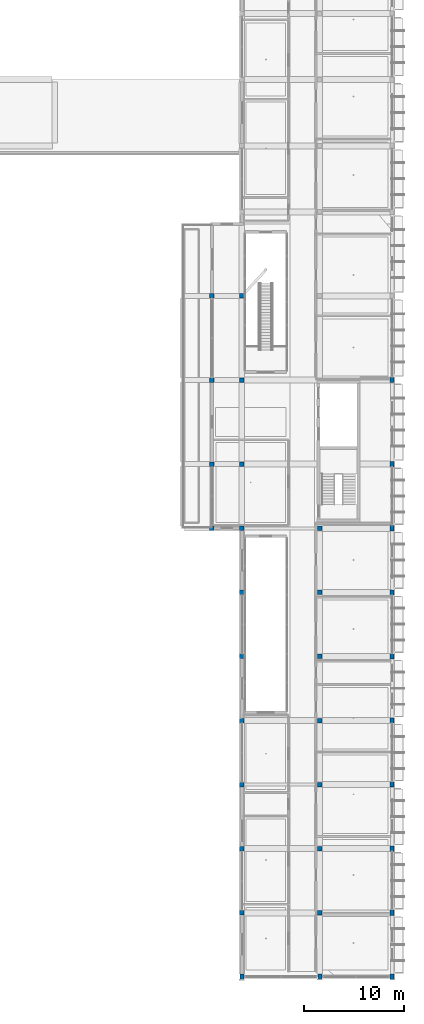
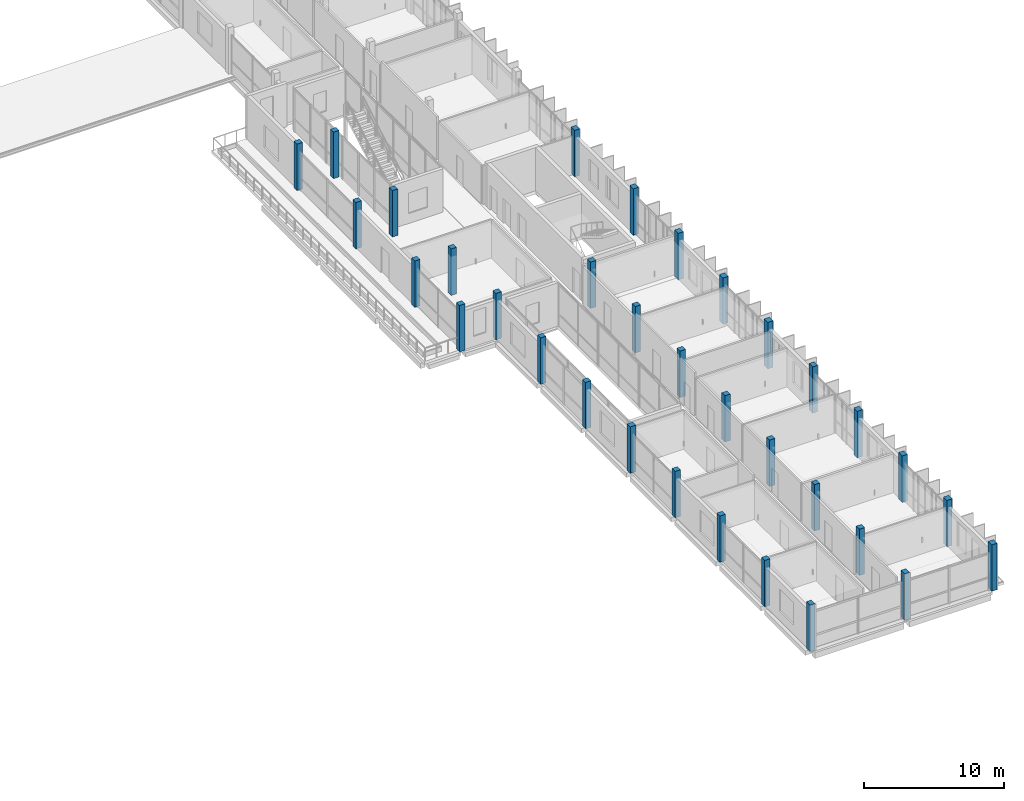
# One storey, part 2 of 86: 33 columns.
"""IFC4 building model written with IfcOpenShell, lengths in metres."""

from ifc_helpers import new_model, si_unit, derived_unit, direction, frame, origin, origin_2d, place, context, subcontext, project, spatial, rectangle, extrude, material, material_profile, profile_set, type_object, element, save


model = new_model("IFC4")

# Units and contexts
model_context = context("Model", 3, precision=1e-05, world=origin(), true_north=direction((0.0, 1.0)))
body_context = subcontext(model_context, "Body", "Model", "MODEL_VIEW")
ifc_project = project(units=[si_unit("LENGTHUNIT", "METRE"), si_unit("AREAUNIT", "SQUARE_METRE"), si_unit("VOLUMEUNIT", "CUBIC_METRE"), si_unit("PLANEANGLEUNIT", "RADIAN"), si_unit("MASSUNIT", "GRAM", prefix="KILO"), derived_unit("THERMALTRANSMITTANCEUNIT", [(si_unit("POWERUNIT", "WATT"), 1), (si_unit("LENGTHUNIT", "METRE"), -2), (si_unit("THERMODYNAMICTEMPERATUREUNIT", "KELVIN"), -1)])], contexts=[model_context])

# Site, building, storey
site_placement = place(None, origin())
site = spatial("IfcSite", under=ifc_project, at=site_placement, CompositionType="ELEMENT")
building_placement = place(site_placement, origin())
building = spatial("IfcBuilding", under=site, at=building_placement, Name="Braskholm Square Health Centre", CompositionType="ELEMENT")
storey_placement = place(building_placement, frame((0.0, 0.0, 13.5)))
storey = spatial("IfcBuildingStorey", under=building, at=storey_placement, Name="L04", CompositionType="ELEMENT", Elevation=13.5)

# Columns
ifc_material_1 = material(Name="Concrete C40/50 (f'c = 40 MPa)", Category="concrete")
ifc_material_profile_1 = material_profile(ifc_material_1, rectangle(XDim=0.449951171875, YDim=0.449951171875, at=origin_2d()), Name="RC-450X450")
ifc_profile_set_1 = profile_set([ifc_material_profile_1], Name="Concrete C40/50 (f'c = 40 MPa)")
column_type_1 = type_object("IfcColumnType", Name="ColInteriorTop450", PredefinedType="COLUMN", material=ifc_profile_set_1)
for number, where, z_axis, x_axis, name in (
    (1, (145.800048828125, 49.0, 0.0), (0.0, 0.0, 1.0), (1.0, 0.0, 0.0), "Column 19/H L04"),
    (2, (145.800048828125, 55.39990234375, 0.0), (0.0, 0.0, 1.0), (1.0, 0.0, 0.0), "Column 19/J L04"),
    (3, (145.800048828125, 63.800048828125, 0.0), (0.0, 0.0, 1.0), (1.0, 0.0, 0.0), "Column 19/K L04"),
    (4, (145.800048828125, 72.199951171875, 0.0), (0.0, 0.0, 1.0), (1.0, 0.0, 0.0), "Column 19/L L04"),
    (5, (148.800048828125, 10.60009765625, 0.0), (0.0, 0.0, 1.0), (1.0, 0.0, 0.0), "Column 20/B L04"),
    (6, (148.800048828125, 17.0, 0.0), (0.0, 0.0, 1.0), (1.0, 0.0, 0.0), "Column 20/C L04"),
    (7, (148.800048828125, 23.39990234375, 0.0), (0.0, 0.0, 1.0), (1.0, 0.0, 0.0), "Column 20/D L04"),
    (8, (148.800048828125, 29.800048828125, 0.0), (0.0, 0.0, 1.0), (1.0, 0.0, 0.0), "Column 20/E L04"),
    (9, (148.800048828125, 36.199951171875, 0.0), (0.0, 0.0, 1.0), (1.0, 0.0, 0.0), "Column 20/F L04"),
    (10, (148.800048828125, 42.60009765625, 0.0), (0.0, 0.0, 1.0), (1.0, 0.0, 0.0), "Column 20/G L04"),
    (11, (148.800048828125, 49.0, 0.0), (0.0, 0.0, 1.0), (1.0, 0.0, 0.0), "Column 20/H L04"),
    (12, (148.800048828125, 55.39990234375, 0.0), (0.0, 0.0, 1.0), (1.0, 0.0, 0.0), "Column 20/J L04"),
    (13, (148.800048828125, 63.800048828125, 0.0), (0.0, 0.0, 1.0), (1.0, 0.0, 0.0), "Column 20/K L04"),
    (14, (148.800048828125, 72.199951171875, 0.0), (0.0, 0.0, 1.0), (1.0, 0.0, 0.0), "Column 20/L L04"),
    (15, (156.60009765625, 10.60009765625, 0.0), (0.0, 0.0, 1.0), (1.0, 0.0, 0.0), "Column 21/B L04"),
    (16, (156.60009765625, 17.0, 0.0), (0.0, 0.0, 1.0), (1.0, 0.0, 0.0), "Column 21/C L04"),
    (17, (156.60009765625, 23.39990234375, 0.0), (0.0, 0.0, 1.0), (1.0, 0.0, 0.0), "Column 21/D L04"),
    (18, (156.60009765625, 29.800048828125, 0.0), (0.0, 0.0, 1.0), (1.0, 0.0, 0.0), "Column 21/E L04"),
    (19, (156.60009765625, 36.199951171875, 0.0), (0.0, 0.0, 1.0), (1.0, 0.0, 0.0), "Column 21/F L04"),
    (20, (156.60009765625, 42.60009765625, 0.0), (0.0, 0.0, 1.0), (1.0, 0.0, 0.0), "Column 21/G L04"),
    (21, (156.60009765625, 49.0, 0.0), (0.0, 0.0, 1.0), (1.0, 0.0, 0.0), "Column 21/H L04"),
):
    element("IfcColumn", number, at=place(storey_placement, frame(where, z_axis=z_axis, x_axis=x_axis)), inside=storey, type_object=column_type_1, Name=name, PredefinedType="COLUMN", context=body_context, shape_type="SweptSolid", body=[
        extrude(rectangle(XDim=0.449951171875, YDim=0.449951171875, at=origin_2d()), origin(), (0.0, 0.0, 1.0), 4.050048828125),
    ])
ifc_material_2 = material(Name="Precast concrete C40/50 architectural white", Category="concrete")
ifc_material_profile_2 = material_profile(ifc_material_2, rectangle(XDim=0.419921875, YDim=0.52001953125, at=origin_2d()), Name="RC-420X520")
ifc_profile_set_2 = profile_set([ifc_material_profile_2], Name="Precast concrete C40/50 architectural white")
column_type_2 = type_object("IfcColumnType", Name="ColPrecastFrame420x520", PredefinedType="COLUMN", material=ifc_profile_set_2)
for number, where, z_axis, x_axis, name in (
    (22, (148.800048828125, 4.199951171875, 0.0), (0.0, 0.0, 1.0), (1.0, 0.0, 0.0), "Column 20/A L04"),
    (23, (156.60009765625, 4.199951171875, 0.0), (0.0, 0.0, 1.0), (1.0, 0.0, 0.0), "Column 21/A L04"),
    (24, (163.800048828125, 4.199951171875, 0.0), (0.0, 0.0, 1.0), (1.0, 0.0, 0.0), "Column 22/A L04"),
    (25, (163.800048828125, 10.60009765625, 0.0), (0.0, 0.0, 1.0), (1.0, 0.0, 0.0), "Column 22/B L04"),
    (26, (163.800048828125, 17.0, 0.0), (0.0, 0.0, 1.0), (1.0, 0.0, 0.0), "Column 22/C L04"),
    (27, (163.800048828125, 23.39990234375, 0.0), (0.0, 0.0, 1.0), (1.0, 0.0, 0.0), "Column 22/D L04"),
    (28, (163.800048828125, 29.800048828125, 0.0), (0.0, 0.0, 1.0), (1.0, 0.0, 0.0), "Column 22/E L04"),
    (29, (163.800048828125, 36.199951171875, 0.0), (0.0, 0.0, 1.0), (1.0, 0.0, 0.0), "Column 22/F L04"),
    (30, (163.800048828125, 42.60009765625, 0.0), (0.0, 0.0, 1.0), (1.0, 0.0, 0.0), "Column 22/G L04"),
    (31, (163.800048828125, 49.0, 0.0), (0.0, 0.0, 1.0), (1.0, 0.0, 0.0), "Column 22/H L04"),
    (32, (163.800048828125, 55.39990234375, 0.0), (0.0, 0.0, 1.0), (1.0, 0.0, 0.0), "Column 22/J L04"),
    (33, (163.800048828125, 63.800048828125, 0.0), (0.0, 0.0, 1.0), (1.0, 0.0, 0.0), "Column 22/K L04"),
):
    element("IfcColumn", number, at=place(storey_placement, frame(where, z_axis=z_axis, x_axis=x_axis)), inside=storey, type_object=column_type_2, Name=name, PredefinedType="COLUMN", context=body_context, shape_type="SweptSolid", body=[
        extrude(rectangle(XDim=0.419921875, YDim=0.52001953125, at=origin_2d()), origin(), (0.0, 0.0, 1.0), 4.050048828125),
    ])

save(model, "model.ifc")
